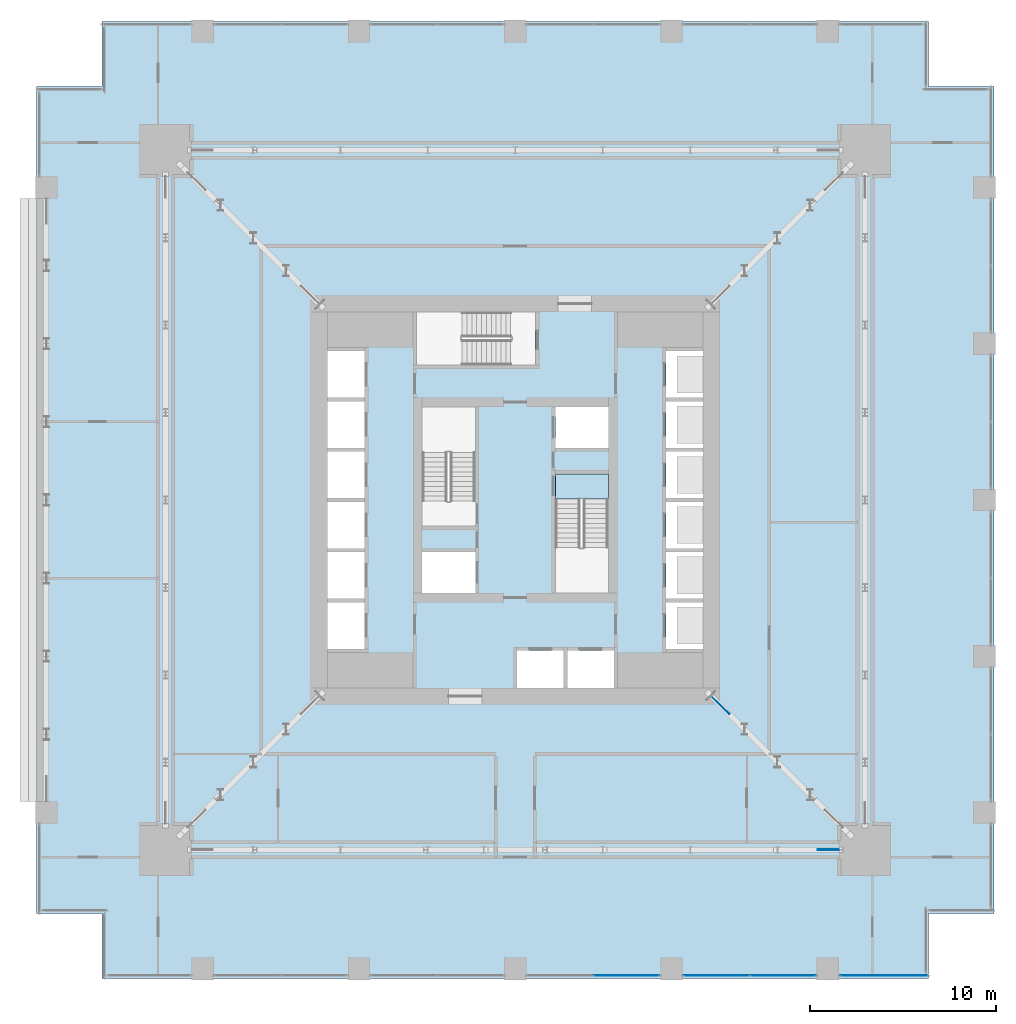
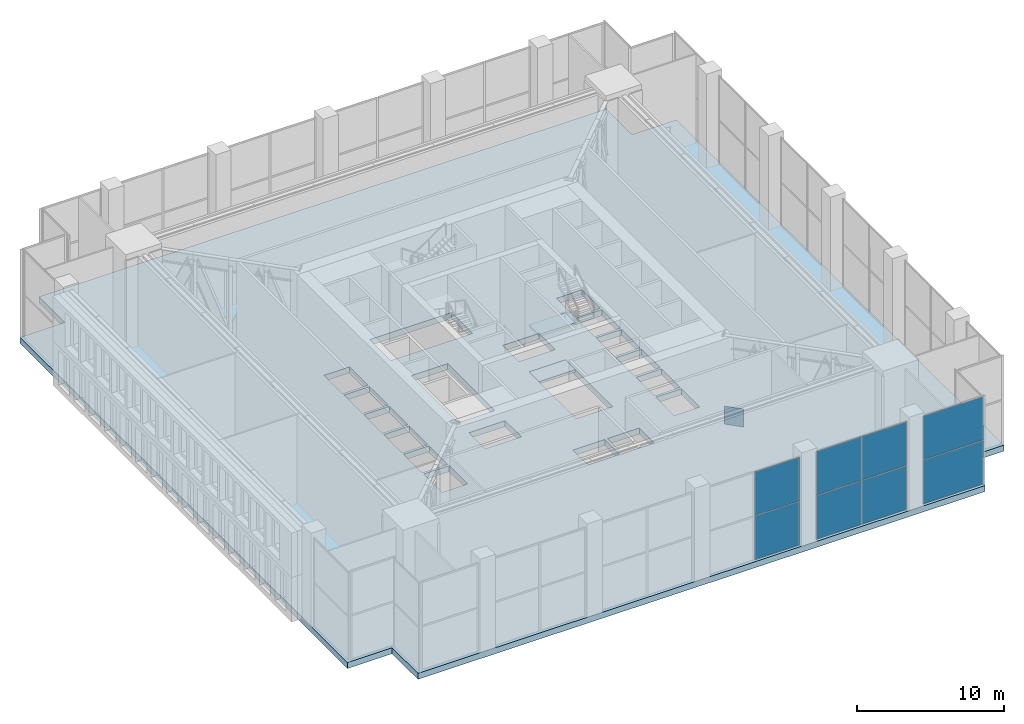
# One storey, part 12 of 21: 10 plates, 3 slabs, 4 elements without a shape of their own.
"""IFC4 building model written with IfcOpenShell, lengths in metres."""

from ifc_helpers import new_model, si_unit, direction, frame, origin, origin_2d, place, context, subcontext, project, spatial, polyline, rectangle, outline, extrude, material, layer, layer_set, type_object, element, aggregate, save


model = new_model("IFC4")

# Units and contexts
model_context = context("Model", 3, precision=1e-05, world=origin(), true_north=direction((0.0, 1.0)))
body_context = subcontext(model_context, "Body", "Model", "MODEL_VIEW")
ifc_project = project(units=[si_unit("LENGTHUNIT", "METRE"), si_unit("AREAUNIT", "SQUARE_METRE"), si_unit("VOLUMEUNIT", "CUBIC_METRE"), si_unit("PLANEANGLEUNIT", "RADIAN"), si_unit("MASSUNIT", "GRAM", prefix="KILO")], contexts=[model_context])

# Site, building, storey
site_placement = place(None, origin())
site = spatial("IfcSite", under=ifc_project, at=site_placement, CompositionType="ELEMENT")
building_placement = place(site_placement, origin())
building = spatial("IfcBuilding", under=site, at=building_placement, Name="Khepri Terraces", CompositionType="ELEMENT")
storey_placement = place(building_placement, frame((0.0, 0.0, 126.0)))
storey = spatial("IfcBuildingStorey", under=building, at=storey_placement, Name="L30", CompositionType="ELEMENT", Elevation=126.0)

# Curtain wall, plates
ifc_material_1 = material(Name="Anodised aluminium bronze curtain wall", Category="aluminium")
curtain_wall_type = type_object("IfcCurtainWallType", Name="CW-SYS3-SKY", PredefinedType="NOTDEFINED", material=ifc_material_1)
curtain_wall_1_placement = place(storey_placement, origin())
curtain_wall_1 = element("IfcCurtainWall", 1, at=curtain_wall_1_placement, inside=storey, type_object=curtain_wall_type, Name="Curtain wall CW3 L30 S", PredefinedType="NOTDEFINED")
ifc_material_2 = material(Name="Clear glass", Category="glass")
ifc_layer_1 = layer(ifc_material_2, 0.028076171875, Name="Clear glass", Category="glass")
ifc_layer_set_1 = layer_set([ifc_layer_1], Name="Clear glass")
plate_type_1 = type_object("IfcPlateType", Name="CW-PANEL-VISION-28", PredefinedType="CURTAIN_PANEL", material=ifc_layer_set_1)
plate_1_placement = place(storey_placement, frame((5.985107421875, -25.570068359375, 0.06005859375), z_axis=(0.0, 0.0, 1.0), x_axis=(1.0, 0.0, 0.0)))
plate_1 = element("IfcPlate", 2, at=plate_1_placement, type_object=plate_type_1, Name="CW3 panel 2.1", PredefinedType="CURTAIN_PANEL", context=body_context, shape_type="SweptSolid", body=[
    extrude(rectangle(XDim=3.510009765625, YDim=0.028076171875, at=origin_2d()), origin(), (0.0, 0.0, 1.0), 3.60009765625),
])
plate_2_placement = place(storey_placement, frame((5.985107421875, -25.570068359375, 3.719970703125), z_axis=(0.0, 0.0, 1.0), x_axis=(1.0, 0.0, 0.0)))
plate_2 = element("IfcPlate", 3, at=plate_2_placement, type_object=plate_type_1, Name="CW3 panel 2.2", PredefinedType="CURTAIN_PANEL", context=body_context, shape_type="SweptSolid", body=[
    extrude(rectangle(XDim=3.510009765625, YDim=0.028076171875, at=origin_2d()), origin(), (0.0, 0.0, 1.0), 3.60009765625),
])
aggregate(curtain_wall_1, [plate_1, plate_2])

curtain_wall_2_placement = place(storey_placement, origin())
curtain_wall_2 = element("IfcCurtainWall", 4, at=curtain_wall_2_placement, inside=storey, type_object=curtain_wall_type, Name="Curtain wall CW3 L30 S", PredefinedType="NOTDEFINED")
plate_3_placement = place(storey_placement, frame((10.81494140625, -25.570068359375, 0.06005859375), z_axis=(0.0, 0.0, 1.0), x_axis=(1.0, 0.0, 0.0)))
plate_3 = element("IfcPlate", 5, at=plate_3_placement, type_object=plate_type_1, Name="CW3 panel 1.1", PredefinedType="CURTAIN_PANEL", context=body_context, shape_type="SweptSolid", body=[
    extrude(rectangle(XDim=3.510009765625, YDim=0.028076171875, at=origin_2d()), origin(), (0.0, 0.0, 1.0), 3.60009765625),
])
plate_4_placement = place(storey_placement, frame((10.81494140625, -25.570068359375, 3.719970703125), z_axis=(0.0, 0.0, 1.0), x_axis=(1.0, 0.0, 0.0)))
plate_4 = element("IfcPlate", 6, at=plate_4_placement, type_object=plate_type_1, Name="CW3 panel 1.2", PredefinedType="CURTAIN_PANEL", context=body_context, shape_type="SweptSolid", body=[
    extrude(rectangle(XDim=3.510009765625, YDim=0.028076171875, at=origin_2d()), origin(), (0.0, 0.0, 1.0), 3.60009765625),
])
plate_5_placement = place(storey_placement, frame((14.385009765625, -25.570068359375, 0.06005859375), z_axis=(0.0, 0.0, 1.0), x_axis=(1.0, 0.0, 0.0)))
plate_5 = element("IfcPlate", 7, at=plate_5_placement, type_object=plate_type_1, Name="CW3 panel 2.1", PredefinedType="CURTAIN_PANEL", context=body_context, shape_type="SweptSolid", body=[
    extrude(rectangle(XDim=3.510009765625, YDim=0.028076171875, at=origin_2d()), origin(), (0.0, 0.0, 1.0), 3.60009765625),
])
plate_6_placement = place(storey_placement, frame((14.385009765625, -25.570068359375, 3.719970703125), z_axis=(0.0, 0.0, 1.0), x_axis=(1.0, 0.0, 0.0)))
plate_6 = element("IfcPlate", 8, at=plate_6_placement, type_object=plate_type_1, Name="CW3 panel 2.2", PredefinedType="CURTAIN_PANEL", context=body_context, shape_type="SweptSolid", body=[
    extrude(rectangle(XDim=3.510009765625, YDim=0.028076171875, at=origin_2d()), origin(), (0.0, 0.0, 1.0), 3.60009765625),
])
aggregate(curtain_wall_2, [plate_3, plate_4, plate_5, plate_6])

curtain_wall_3_placement = place(storey_placement, origin())
curtain_wall_3 = element("IfcCurtainWall", 9, at=curtain_wall_3_placement, inside=storey, type_object=curtain_wall_type, Name="Curtain wall CW3 L30 S", PredefinedType="NOTDEFINED")
plate_7_placement = place(storey_placement, frame((19.81005859375, -25.570068359375, 0.06005859375), z_axis=(0.0, 0.0, 1.0), x_axis=(1.0, 0.0, 0.0)))
plate_7 = element("IfcPlate", 10, at=plate_7_placement, type_object=plate_type_1, Name="CW3 panel 1.1", PredefinedType="CURTAIN_PANEL", context=body_context, shape_type="SweptSolid", body=[
    extrude(rectangle(XDim=4.699951171875, YDim=0.028076171875, at=origin_2d()), origin(), (0.0, 0.0, 1.0), 3.60009765625),
])
plate_8_placement = place(storey_placement, frame((19.81005859375, -25.570068359375, 3.719970703125), z_axis=(0.0, 0.0, 1.0), x_axis=(1.0, 0.0, 0.0)))
plate_8 = element("IfcPlate", 11, at=plate_8_placement, type_object=plate_type_1, Name="CW3 panel 1.2", PredefinedType="CURTAIN_PANEL", context=body_context, shape_type="SweptSolid", body=[
    extrude(rectangle(XDim=4.699951171875, YDim=0.028076171875, at=origin_2d()), origin(), (0.0, 0.0, 1.0), 3.60009765625),
])
aggregate(curtain_wall_3, [plate_7, plate_8])

# Plates
ifc_material_3 = material(Name="Steel S355", Category="steel")
ifc_layer_2 = layer(ifc_material_3, 0.030029296875, Name="Steel S355", Category="steel")
ifc_layer_set_2 = layer_set([ifc_layer_2], Name="Steel S355")
plate_type_2 = type_object("IfcPlateType", Name="Gusset plate 1150x1150x30", PredefinedType="USERDEFINED", material=ifc_layer_set_2)
plate_9_placement = place(storey_placement, frame((16.824951171875, -18.800048828125, -0.099853515625), z_axis=(0.0, 0.0, 1.0), x_axis=(1.0, 0.0, 0.0)))
element("IfcPlate", 12, at=plate_9_placement, inside=storey, type_object=plate_type_2, Name="GUSSET PLATE BT-30-S column node B", ObjectType="GUSSET PLATE", PredefinedType="USERDEFINED", context=body_context, shape_type="SweptSolid", body=[
    extrude(rectangle(XDim=1.14990234375, YDim=0.030029296875, at=origin_2d()), origin(), (0.0, 0.0, 1.0), 1.14990234375),
])
ifc_layer_3 = layer(ifc_material_3, 0.034912109375, Name="Steel S355", Category="steel")
ifc_layer_set_3 = layer_set([ifc_layer_3], Name="Steel S355")
plate_type_3 = type_object("IfcPlateType", Name="Gusset plate 1350x1550x35", PredefinedType="USERDEFINED", material=ifc_layer_set_3)
plate_10_placement = place(storey_placement, frame((11.02734375, -11.02734375, -0.10009765625), z_axis=(0.0, 0.0, 1.0), x_axis=(0.707106781187, -0.707106781187, 0.0)))
element("IfcPlate", 13, at=plate_10_placement, inside=storey, type_object=plate_type_3, Name="GUSSET PLATE OT-30-ES node A", ObjectType="GUSSET PLATE", PredefinedType="USERDEFINED", context=body_context, shape_type="SweptSolid", body=[
    extrude(rectangle(XDim=1.35009765625, YDim=0.034912109375, at=origin_2d()), origin(), (0.0, 0.0, 1.0), 1.550048828125),
])

# Slab
ifc_material_4 = material(Name="Concrete C40/50", Category="concrete")
ifc_layer_4 = layer(ifc_material_4, 0.5, Name="Concrete C40/50", Category="concrete")
ifc_layer_set_4 = layer_set([ifc_layer_4], Name="Concrete C40/50")
slab_type_1 = type_object("IfcSlabType", Name="Plant floor slab 500", PredefinedType="FLOOR", material=ifc_layer_set_4)
slab_1_placement = place(storey_placement, frame((0.0, 0.0, -0.5)))
element("IfcSlab", 14, at=slab_1_placement, inside=storey, type_object=slab_type_1, Name="Floor slab F01 L30", PredefinedType="FLOOR", context=body_context, shape_type="SweptSolid", body=[
    extrude(outline(polyline([(-22.219970703125, 22.219970703125), (-22.219970703125, 25.719970703125), (22.219970703125, 25.719970703125), (22.219970703125, 22.219970703125), (25.719970703125, 22.219970703125), (25.719970703125, -22.219970703125), (22.219970703125, -22.219970703125), (22.219970703125, -25.719970703125), (-22.219970703125, -25.719970703125), (-22.219970703125, -22.219970703125), (-25.719970703125, -22.219970703125), (-25.719970703125, 22.219970703125), (-22.219970703125, 22.219970703125)]), holes=[polyline([(2.14990234375, 2.800048828125), (5.0, 2.800048828125), (5.0, 5.0), (2.14990234375, 5.0), (2.14990234375, 2.800048828125)]), polyline([(-5.0, -2.800048828125), (-5.0, -5.0), (-2.14990234375, -5.0), (-2.14990234375, -2.800048828125), (-5.0, -2.800048828125)]), polyline([(-8.10009765625, -5.5), (-10.10009765625, -5.5), (-10.10009765625, -8.0), (-8.10009765625, -8.0), (-8.10009765625, -5.5)]), polyline([(10.10009765625, -8.0), (10.10009765625, -5.5), (8.10009765625, -5.5), (8.10009765625, -8.0), (10.10009765625, -8.0)]), polyline([(-10.10009765625, -5.300048828125), (-8.10009765625, -5.300048828125), (-8.10009765625, -2.800048828125), (-10.10009765625, -2.800048828125), (-10.10009765625, -5.300048828125)]), polyline([(8.10009765625, -2.800048828125), (8.10009765625, -5.300048828125), (10.10009765625, -5.300048828125), (10.10009765625, -2.800048828125), (8.10009765625, -2.800048828125)]), polyline([(-8.10009765625, -0.10009765625), (-10.10009765625, -0.10009765625), (-10.10009765625, -2.60009765625), (-8.10009765625, -2.60009765625), (-8.10009765625, -0.10009765625)]), polyline([(10.10009765625, -2.60009765625), (10.10009765625, -0.10009765625), (8.10009765625, -0.10009765625), (8.10009765625, -2.60009765625), (10.10009765625, -2.60009765625)]), polyline([(-10.10009765625, 0.10009765625), (-8.10009765625, 0.10009765625), (-8.10009765625, 2.60009765625), (-10.10009765625, 2.60009765625), (-10.10009765625, 0.10009765625)]), polyline([(8.10009765625, 2.60009765625), (8.10009765625, 0.10009765625), (10.10009765625, 0.10009765625), (10.10009765625, 2.60009765625), (8.10009765625, 2.60009765625)]), polyline([(-8.10009765625, 5.300048828125), (-10.10009765625, 5.300048828125), (-10.10009765625, 2.800048828125), (-8.10009765625, 2.800048828125), (-8.10009765625, 5.300048828125)]), polyline([(10.10009765625, 2.800048828125), (10.10009765625, 5.300048828125), (8.10009765625, 5.300048828125), (8.10009765625, 2.800048828125), (10.10009765625, 2.800048828125)]), polyline([(-10.10009765625, 5.5), (-8.10009765625, 5.5), (-8.10009765625, 8.0), (-10.10009765625, 8.0), (-10.10009765625, 5.5)]), polyline([(8.10009765625, 8.0), (8.10009765625, 5.5), (10.10009765625, 5.5), (10.10009765625, 8.0), (8.10009765625, 8.0)]), polyline([(2.60009765625, -8.10009765625), (0.10009765625, -8.10009765625), (0.10009765625, -10.10009765625), (2.60009765625, -10.10009765625), (2.60009765625, -8.10009765625)]), polyline([(5.300048828125, -10.10009765625), (5.300048828125, -8.10009765625), (2.800048828125, -8.10009765625), (2.800048828125, -10.10009765625), (5.300048828125, -10.10009765625)]), polyline([(-5.0, -1.39990234375), (-2.14990234375, -1.39990234375), (-2.14990234375, 5.0), (-5.0, 5.0), (-5.0, -1.39990234375)]), polyline([(5.0, -5.0), (5.0, 1.39990234375), (2.14990234375, 1.39990234375), (2.14990234375, -5.0), (5.0, -5.0)]), polyline([(-5.300048828125, 10.10009765625), (-5.300048828125, 7.25), (1.10009765625, 7.25), (1.10009765625, 10.10009765625), (-5.300048828125, 10.10009765625)])]), origin(), (0.0, 0.0, 1.0), 0.5),
])

# Stair, slabs
stair_type = type_object("IfcStairType", Name="STAIR-RC-44R", PredefinedType="HALF_TURN_STAIR", material=ifc_material_4)
stair_placement = place(storey_placement, origin())
stair = element("IfcStair", 15, at=stair_placement, inside=storey, type_object=stair_type, Name="L30 Exit Stair ST-2", PredefinedType="HALF_TURN_STAIR")
ifc_layer_5 = layer(ifc_material_4, 0.199951171875, Name="Concrete C40/50", Category="concrete")
ifc_layer_set_5 = layer_set([ifc_layer_5], Name="Concrete C40/50")
slab_type_2 = type_object("IfcSlabType", Name="SLB-CORE-LANDING", PredefinedType="LANDING", material=ifc_layer_set_5)
slab_2_placement = place(storey_placement, frame((0.0, 0.0, -0.199951171875)))
slab_2 = element("IfcSlab", 16, at=slab_2_placement, type_object=slab_type_2, Name="ST-2 landing 1", PredefinedType="LANDING", context=body_context, shape_type="SweptSolid", body=[
    extrude(outline(polyline([(2.14990234375, 1.39990234375), (2.14990234375, 0.050048828125), (5.0, 0.050048828125), (5.0, 1.39990234375), (2.14990234375, 1.39990234375)])), origin(), (0.0, 0.0, 1.0), 0.199951171875),
])
slab_3_placement = place(storey_placement, frame((0.0, 0.0, 3.699951171875)))
slab_3 = element("IfcSlab", 17, at=slab_3_placement, type_object=slab_type_2, Name="ST-2 landing 3", PredefinedType="LANDING", context=body_context, shape_type="SweptSolid", body=[
    extrude(outline(polyline([(2.14990234375, 1.39990234375), (2.14990234375, 0.050048828125), (5.0, 0.050048828125), (5.0, 1.39990234375), (2.14990234375, 1.39990234375)])), origin(), (0.0, 0.0, 1.0), 0.199951171875),
])
aggregate(stair, [slab_2, slab_3])

save(model, "model.ifc")
